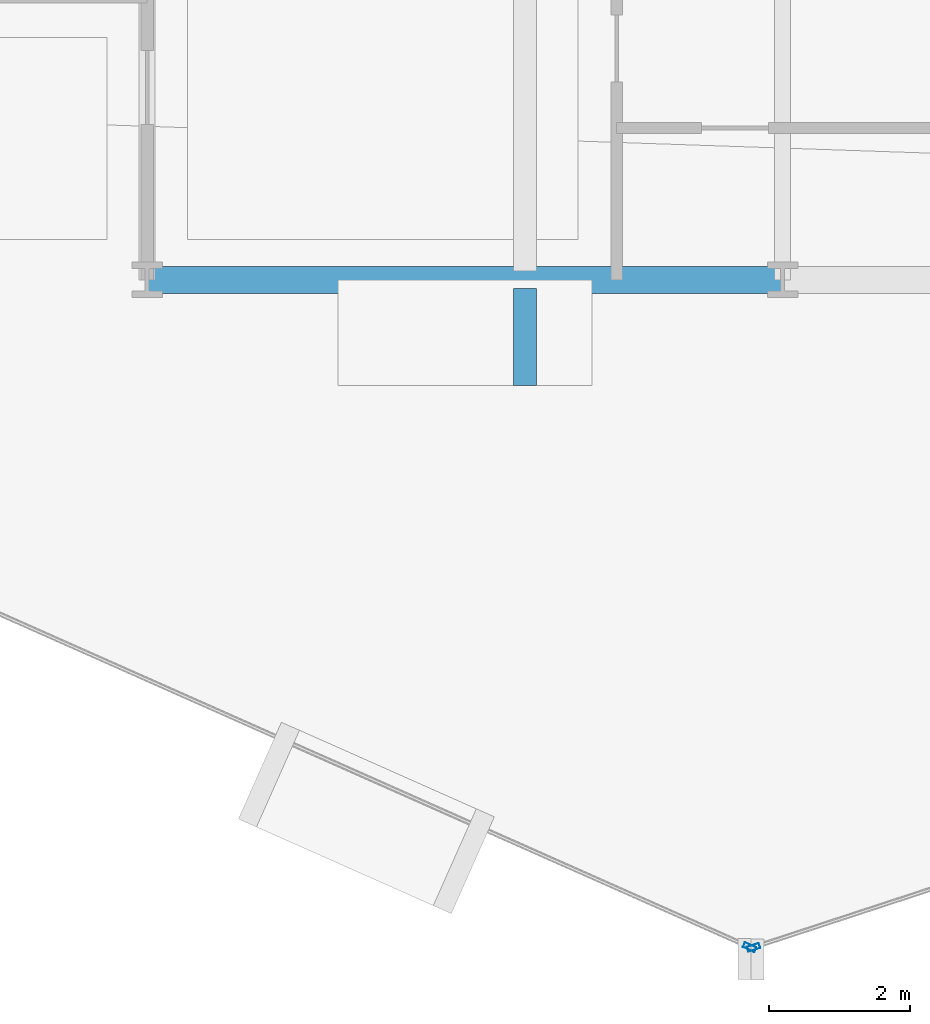
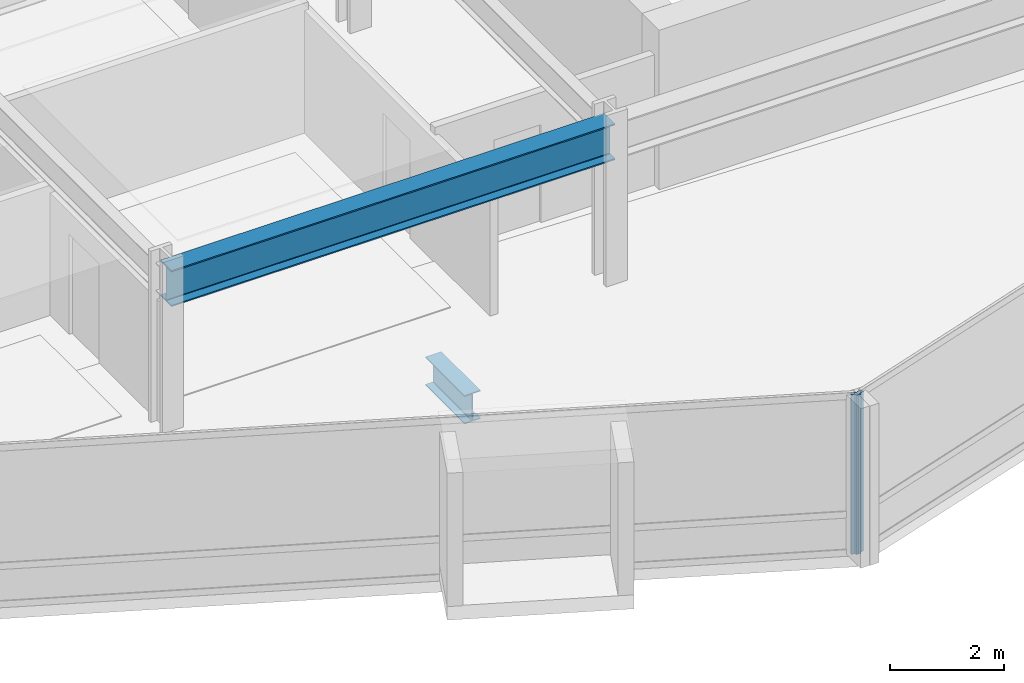
# One storey, part 4 of 34: 2 beams, 2 members, 2 elements without a shape of their own.
"""IFC4 building model written with IfcOpenShell, lengths in metres."""

from ifc_helpers import new_model, si_unit, direction, frame, origin, origin_2d, place, context, subcontext, project, spatial, hollow_rectangle, i_section, extrude, material, layer, layer_set, material_profile, profile_set, type_object, element, aggregate, save


model = new_model("IFC4")

# Units and contexts
model_context = context("Model", 3, precision=1e-05, world=origin(), true_north=direction((0.0, 1.0)))
body_context = subcontext(model_context, "Body", "Model", "MODEL_VIEW")
ifc_project = project(units=[si_unit("LENGTHUNIT", "METRE"), si_unit("AREAUNIT", "SQUARE_METRE"), si_unit("VOLUMEUNIT", "CUBIC_METRE"), si_unit("PLANEANGLEUNIT", "RADIAN"), si_unit("MASSUNIT", "GRAM", prefix="KILO")], contexts=[model_context])

# Site, building, storey
site_placement = place(None, origin())
site = spatial("IfcSite", under=ifc_project, at=site_placement, CompositionType="ELEMENT")
building_placement = place(site_placement, origin())
building = spatial("IfcBuilding", under=site, at=building_placement, Name="Solvaryn Broadcast Tower", CompositionType="ELEMENT")
storey_placement = place(building_placement, frame((0.0, 0.0, 65.60009765625)))
storey = spatial("IfcBuildingStorey", under=building, at=storey_placement, Name="L15", CompositionType="ELEMENT", Elevation=65.60009765625)

# Beams
ifc_material_1 = material(Name="Steel ASTM A992 Grade 50", Category="steel")
ifc_material_profile_1 = material_profile(ifc_material_1, i_section(OverallWidth=0.323974609375, OverallDepth=0.611083984375, WebThickness=0.0126953125, FlangeThickness=0.01904296875, FilletRadius=0.014892578125, at=origin_2d()))
ifc_profile_set_1 = profile_set([ifc_material_profile_1], Name="Steel ASTM A992 Grade 50")
beam_type_1 = type_object("IfcBeamType", Name="BM-CANT-TER", PredefinedType="BEAM", material=ifc_profile_set_1)
beam_1_placement = place(storey_placement, frame((23.35009765625, 8.875, -0.585693359375), z_axis=(0.0, -1.0, 0.0), x_axis=(1.0, 0.0, 0.0)))
element("IfcBeam", 1, at=beam_1_placement, inside=storey, type_object=beam_type_1, Name="L15 Bay-Box Cantilever Bracket 1", PredefinedType="BEAM", context=body_context, shape_type="SweptSolid", body=[
    extrude(i_section(OverallWidth=0.323974609375, OverallDepth=0.611083984375, WebThickness=0.0126953125, FlangeThickness=0.01904296875, FilletRadius=0.014892578125, at=origin_2d()), origin(), (0.0, 0.0, 1.0), 1.375),
])
ifc_material_2 = material(Name="Steel ASTM A992 Grade 50", Category="steel")
ifc_material_profile_2 = material_profile(ifc_material_2, i_section(OverallWidth=0.381103515625, OverallDepth=0.77294921875, WebThickness=0.0166015625, FlangeThickness=0.027099609375, FilletRadius=0.01806640625, at=origin_2d()))
ifc_profile_set_2 = profile_set([ifc_material_profile_2], Name="Steel ASTM A992 Grade 50")
beam_type_2 = type_object("IfcBeamType", Name="BM-SP1-W30X173", PredefinedType="USERDEFINED", material=ifc_profile_set_2)
beam_2_placement = place(storey_placement, frame((18.0, 9.0, 3.033447265625), z_axis=(1.0, 0.0, 0.0), x_axis=(0.0, 1.0, 0.0)))
element("IfcBeam", 2, at=beam_2_placement, inside=storey, type_object=beam_type_2, Name="L15 Spandrel Beam X (18-27 @ Y=9)", ObjectType="SPANDREL", PredefinedType="USERDEFINED", context=body_context, shape_type="SweptSolid", body=[
    extrude(i_section(OverallWidth=0.381103515625, OverallDepth=0.77294921875, WebThickness=0.0166015625, FlangeThickness=0.027099609375, FilletRadius=0.01806640625, at=origin_2d()), origin(), (0.0, 0.0, 1.0), 9.0),
])

# Curtain wall, member
ifc_material_3 = material(Name="Aluminium and Terracotta Unitised Curtain Wall", Category="masonry")
ifc_layer = layer(ifc_material_3, 0.199951171875)
ifc_layer_set = layer_set([ifc_layer], Name="CW-SYS2-LOWMID")
curtain_wall_type = type_object("IfcCurtainWallType", Name="CW-SYS2-LOWMID", PredefinedType="NOTDEFINED", material=ifc_layer_set)
curtain_wall_1_placement = place(storey_placement, origin())
curtain_wall_1 = element("IfcCurtainWall", 3, at=curtain_wall_1_placement, inside=storey, type_object=curtain_wall_type, Name="L15 Curtain Wall DR3", PredefinedType="NOTDEFINED")
ifc_material_4 = material(Name="Anodised Aluminium 6063-T6", Category="aluminium")
ifc_material_profile_3 = material_profile(ifc_material_4, hollow_rectangle(XDim=0.074951171875, YDim=0.179931640625, WallThickness=0.00390625, InnerFilletRadius=0.00390625, OuterFilletRadius=0.008056640625, at=origin_2d()))
ifc_profile_set_3 = profile_set([ifc_material_profile_3], Name="Anodised Aluminium 6063-T6")
member_type = type_object("IfcMemberType", Name="CW-MUL-180", PredefinedType="MULLION", material=ifc_profile_set_3)
member_1_placement = place(storey_placement, frame((26.532470703125, -0.451904296875, 0.0), z_axis=(0.0, 0.0, 1.0), x_axis=(0.405898286554, 0.913918257271, 0.0)))
member_1 = element("IfcMember", 4, at=member_1_placement, type_object=member_type, Name="CWS2 mullion 2", PredefinedType="MULLION", context=body_context, shape_type="SweptSolid", body=[
    extrude(hollow_rectangle(XDim=0.074951171875, YDim=0.179931640625, WallThickness=0.00390625, InnerFilletRadius=0.00390625, OuterFilletRadius=0.008056640625, at=origin_2d()), origin(), (0.0, 0.0, 1.0), 3.419921875),
])
aggregate(curtain_wall_1, [member_1])

curtain_wall_2_placement = place(storey_placement, origin())
curtain_wall_2 = element("IfcCurtainWall", 5, at=curtain_wall_2_placement, inside=storey, type_object=curtain_wall_type, Name="L15 Curtain Wall DR4", PredefinedType="NOTDEFINED")
member_2_placement = place(storey_placement, frame((26.588623046875, -0.45458984375, 0.0), z_axis=(0.0, 0.0, 1.0), x_axis=(-0.311594044587, 0.950215318429, 0.0)))
member_2 = element("IfcMember", 6, at=member_2_placement, type_object=member_type, Name="CWS2 mullion 1", PredefinedType="MULLION", context=body_context, shape_type="SweptSolid", body=[
    extrude(hollow_rectangle(XDim=0.074951171875, YDim=0.179931640625, WallThickness=0.00390625, InnerFilletRadius=0.00390625, OuterFilletRadius=0.008056640625, at=origin_2d()), origin(), (0.0, 0.0, 1.0), 3.419921875),
])
aggregate(curtain_wall_2, [member_2])

save(model, "model.ifc")
